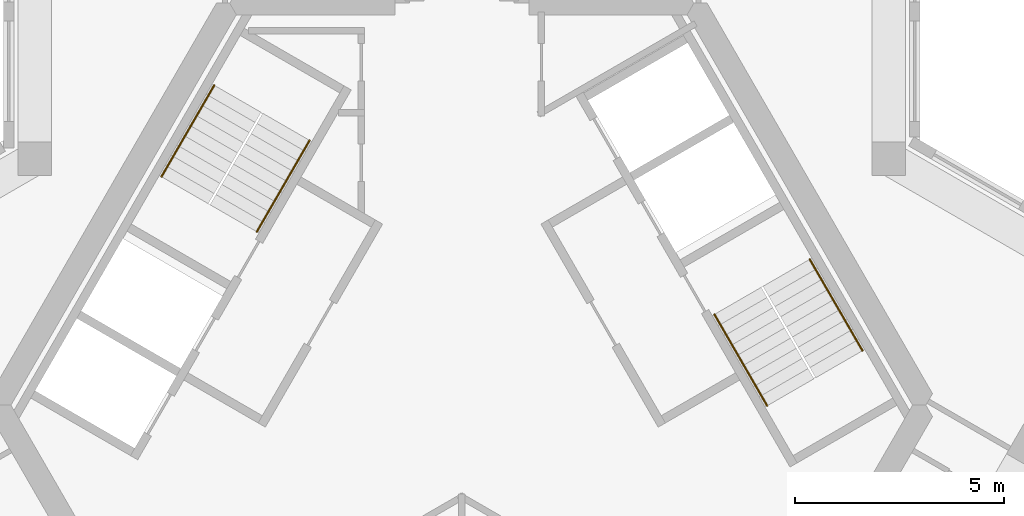
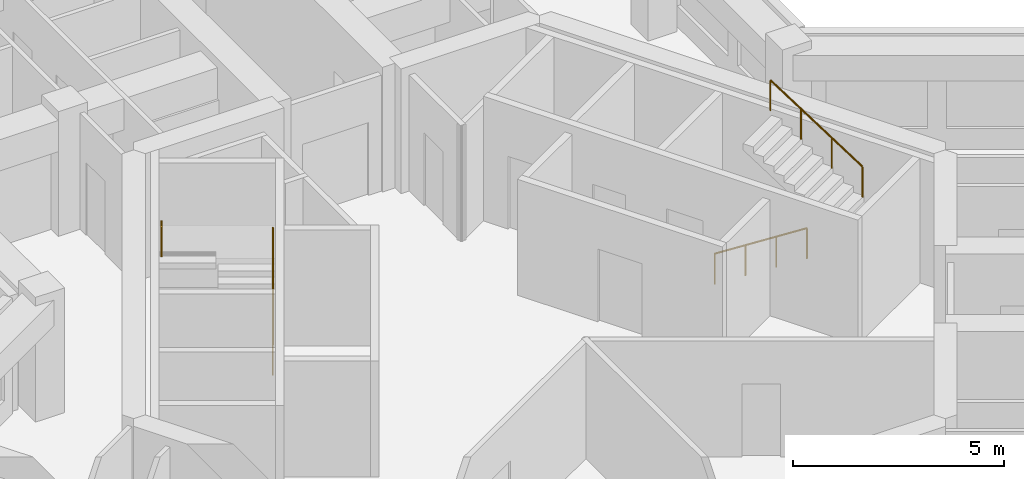
# One storey, part 14 of 14: 4 railings.
"""IFC4 building model written with IfcOpenShell, lengths in metres."""

import ifcopenshell
import ifcopenshell.guid

model = None  # the IFC model being written
_history = None  # IfcOwnerHistory: only IFC2X3 demands one
_inside = {}  # id of a spatial element -> (the spatial element, [elements in it])
_under = {}  # id of a project, library or spatial element -> (it, [spatial elements below it])
_declared = {}  # id of a project -> (the project, [libraries it declares])
_typed = {}  # id of a type object -> (the type object, [elements of that type])
_made_of = {}  # id of a material, layer set ... -> (it, [elements and type objects made of it])


def new_model(schema):
    """Start an empty IFC model of exactly this schema.

    Asked for "IFC4X3", IfcOpenShell would pick the latest addendum, in which some entities
    have other attributes; the version numbers below select the first issue.
    IFC2X3 requires an IfcOwnerHistory on every rooted entity: one is made here for all.
    """
    global model, _history
    if schema == "IFC4X3":
        model = ifcopenshell.file(schema_version=(4, 3, 0, 0))
    else:
        model = ifcopenshell.file(schema=schema)
    _inside.clear()
    _under.clear()
    _declared.clear()
    _typed.clear()
    _made_of.clear()
    _history = None
    if model.schema == "IFC2X3":
        org = make("IfcOrganization", Name="unknown")
        user = make(
            "IfcPersonAndOrganization",
            ThePerson=make("IfcPerson", FamilyName="unknown"),
            TheOrganization=org,
        )
        app = make(
            "IfcApplication",
            ApplicationDeveloper=org,
            Version="unknown",
            ApplicationFullName="unknown",
            ApplicationIdentifier="unknown",
        )
        _history = make(
            "IfcOwnerHistory",
            OwningUser=user,
            OwningApplication=app,
            ChangeAction="ADDED",
            CreationDate=0,
        )
    return model


def make(cls, **values):
    """One entity of the class cls with the attributes given. An attribute that is None is left unset."""
    return model.create_entity(
        cls, **{name: value for name, value in values.items() if value is not None}
    )


def rooted(cls, **values):
    """An entity with a GlobalId (a new one), such as an element, a storey or a relation."""
    return make(cls, GlobalId=ifcopenshell.guid.new(), OwnerHistory=_history, **values)


def si_unit(unit_type, name, prefix=None):
    """IfcSIUnit, for example si_unit("LENGTHUNIT", "METRE", prefix="MILLI")."""
    return make("IfcSIUnit", UnitType=unit_type, Prefix=prefix, Name=name)


def assignment(units):
    """IfcUnitAssignment: the units of a project."""
    return None if units is None else make("IfcUnitAssignment", Units=units)


def point(xyz):
    """IfcCartesianPoint."""
    return None if xyz is None else make("IfcCartesianPoint", Coordinates=xyz)


def direction(xyz):
    """IfcDirection."""
    return None if xyz is None else make("IfcDirection", DirectionRatios=xyz)


def frame(location, z_axis=None, x_axis=None):
    """IfcAxis2Placement3D, a coordinate frame: its origin and axes. An axis left out is left unset."""
    return make(
        "IfcAxis2Placement3D",
        Location=point(location),
        Axis=direction(z_axis),
        RefDirection=direction(x_axis),
    )


def frame_2d(location, x_axis=None):
    """IfcAxis2Placement2D, a coordinate frame in the plane: its origin and x axis."""
    return make(
        "IfcAxis2Placement2D", Location=point(location), RefDirection=direction(x_axis)
    )


def origin():
    """The frame at (0, 0, 0) with its axes left unset."""
    return frame((0.0, 0.0, 0.0))


def origin_2d():
    """The frame at (0, 0) in the plane with its x axis left unset."""
    return frame_2d((0.0, 0.0))


def place(relative_to, where):
    """IfcLocalPlacement: puts the frame where relative to a parent placement (None: the world)."""
    return make(
        "IfcLocalPlacement", PlacementRelTo=relative_to, RelativePlacement=where
    )


def context(
    kind, dimensions, precision=None, world=None, true_north=None, identifier=None
):
    """IfcGeometricRepresentationContext, for example the 3D "Model" context."""
    return make(
        "IfcGeometricRepresentationContext",
        ContextIdentifier=identifier,
        ContextType=kind,
        CoordinateSpaceDimension=dimensions,
        Precision=precision,
        WorldCoordinateSystem=world,
        TrueNorth=true_north,
    )


def subcontext(parent, identifier, kind, view, scale=None):
    """IfcGeometricRepresentationSubContext, for example "Body" below "Model"."""
    return make(
        "IfcGeometricRepresentationSubContext",
        ContextIdentifier=identifier,
        ContextType=kind,
        ParentContext=parent,
        TargetScale=scale,
        TargetView=view,
    )


def project(units=None, contexts=None):
    """IfcProject with its units and contexts."""
    return rooted(
        "IfcProject",
        Name="project",
        RepresentationContexts=contexts,
        UnitsInContext=assignment(units),
    )


def spatial(cls, under=None, at=None, **own):
    """A site, building, storey or space (cls), placed at a placement, below another one or the project."""
    s = rooted(cls, ObjectPlacement=at, **own)
    if under is not None:
        _under.setdefault(under.id(), (under, []))[1].append(s)
    return s


def profile(cls, at=None, kind="AREA", **sizes):
    """A parametric profile (cls). Its sizes go by their IFC names, for example OverallWidth=200.0."""
    return make(cls, ProfileType=kind, Position=at, **sizes)


def circle(**sizes):
    """IfcCircleProfileDef."""
    return profile("IfcCircleProfileDef", **sizes)


def extrude(swept, where, along, depth):
    """IfcExtrudedAreaSolid: the profile swept, set in the frame where, extruded along a direction by depth."""
    return make(
        "IfcExtrudedAreaSolid",
        SweptArea=swept,
        Position=where,
        ExtrudedDirection=direction(along),
        Depth=depth,
    )


def shape(context_of_items, identifier, shape_type, items):
    """IfcShapeRepresentation: the items that make up one representation, for example the "Body"."""
    return make(
        "IfcShapeRepresentation",
        ContextOfItems=context_of_items,
        RepresentationIdentifier=identifier,
        RepresentationType=shape_type,
        Items=items,
    )


def material(Name=None, Category=None):
    """IfcMaterial."""
    return make("IfcMaterial", Name=Name, Category=Category)


def made_of(thing, what):
    """Note that an element or type object is made of a material, layer set ...; save() writes the relation."""
    if what is not None:
        _made_of.setdefault(what.id(), (what, []))[1].append(thing)
    return thing


def type_object(cls, material=None, **own):
    """A type object (cls), such as IfcWallType, which elements share."""
    return made_of(rooted(cls, **own), material)


def element(
    cls,
    number,
    at=None,
    inside=None,
    cuts=None,
    type_object=None,
    material=None,
    context=None,
    identifier="Body",
    shape_type=None,
    held_by="IfcProductDefinitionShape",
    body=None,
    shapes=None,
    **own,
):
    """One element of the class cls, such as IfcWall. Its Tag is "e" and its number.

    at: its placement. inside: the storey or other place that contains it. cuts: it is an
    opening in that element (IfcRelVoidsElement). A single representation is given by context,
    identifier, shape_type and body (its items); several are given by shapes. held_by: the class
    of the entity that holds the representations. save() writes the other relations.
    """
    e = rooted(cls, Tag="e%d" % number, ObjectPlacement=at, **own)
    if body is not None:
        shapes = [shape(context, identifier, shape_type, body)]
    if shapes is not None:
        e.Representation = make(held_by, Representations=shapes)
    if inside is not None:
        _inside.setdefault(inside.id(), (inside, []))[1].append(e)
    if cuts is not None:
        rooted(
            "IfcRelVoidsElement", RelatingBuildingElement=cuts, RelatedOpeningElement=e
        )
    if type_object is not None:
        _typed.setdefault(type_object.id(), (type_object, []))[1].append(e)
    return made_of(e, material)


def aggregate(whole, parts):
    """IfcRelAggregates: a whole, such as a stair, and the parts it consists of."""
    return rooted("IfcRelAggregates", RelatingObject=whole, RelatedObjects=parts)


def save(model, path):
    """Write the relations noted so far, then the file.

    IfcRelAggregates (storeys below a building ...), IfcRelContainedInSpatialStructure (elements
    in a storey), IfcRelDefinesByType, IfcRelAssociatesMaterial and IfcRelDeclares: one each for
    every whole, place, type object, material and project.
    """
    for whole, parts in _under.values():
        aggregate(whole, parts)
    for where, things in _inside.values():
        rooted(
            "IfcRelContainedInSpatialStructure",
            RelatedElements=things,
            RelatingStructure=where,
        )
    for kind, things in _typed.values():
        rooted("IfcRelDefinesByType", RelatedObjects=things, RelatingType=kind)
    for what, things in _made_of.values():
        rooted("IfcRelAssociatesMaterial", RelatedObjects=things, RelatingMaterial=what)
    for by, libraries in _declared.values():
        rooted("IfcRelDeclares", RelatingContext=by, RelatedDefinitions=libraries)
    model.write(path)


model = new_model("IFC4")

# Units and contexts
model_context = context("Model", 3, precision=1e-05, world=origin(), true_north=direction((0.0, 1.0)))
body_context = subcontext(model_context, "Body", "Model", "MODEL_VIEW")
ifc_project = project(units=[si_unit("LENGTHUNIT", "METRE"), si_unit("AREAUNIT", "SQUARE_METRE"), si_unit("VOLUMEUNIT", "CUBIC_METRE"), si_unit("PLANEANGLEUNIT", "RADIAN"), si_unit("MASSUNIT", "GRAM", prefix="KILO")], contexts=[model_context])

# Site, building, storey
site_placement = place(None, origin())
site = spatial("IfcSite", under=ifc_project, at=site_placement, CompositionType="ELEMENT")
building_placement = place(site_placement, origin())
building = spatial("IfcBuilding", under=site, at=building_placement, Name="Kosmar Iwan School Tower", CompositionType="ELEMENT")
storey_placement = place(building_placement, frame((0.0, 0.0, 278.199951171875)))
storey = spatial("IfcBuildingStorey", under=building, at=storey_placement, Name="L70", CompositionType="ELEMENT", Elevation=278.199951171875)

# Railings
ifc_material = material(Name="Black steel", Category="steel")
railing_type = type_object("IfcRailingType", Name="Stair handrail 900", PredefinedType="HANDRAIL", material=ifc_material)
railing_1_placement = place(storey_placement, frame((-4.89453125, 4.142333984375, 0.179931640625)))
element("IfcRailing", 1, at=railing_1_placement, inside=storey, type_object=railing_type, Name="Handrail ST2 flight 1", PredefinedType="HANDRAIL", context=body_context, shape_type="SweptSolid", body=[
    extrude(circle(Radius=0.02392578125, at=origin_2d()), frame((0.0, 0.0, 0.8759765625), z_axis=(0.420584145978, 0.728463801763, 0.540785970299), x_axis=(-0.866022637375, 0.500004791531, 0.0)), (0.0, 0.0, 1.0), 2.995849609375),
    extrude(circle(Radius=0.02099609375, at=origin_2d()), origin(), (0.0, 0.0, 1.0), 0.851806640625),
    extrude(circle(Radius=0.02099609375, at=origin_2d()), frame((0.419921875, 0.7275390625, 0.5400390625)), (0.0, 0.0, 1.0), 0.851806640625),
    extrude(circle(Radius=0.02099609375, at=origin_2d()), frame((0.840087890625, 1.454833984375, 1.080078125)), (0.0, 0.0, 1.0), 0.851806640625),
    extrude(circle(Radius=0.02099609375, at=origin_2d()), frame((1.260009765625, 2.182373046875, 1.6201171875)), (0.0, 0.0, 1.0), 0.851806640625),
])
railing_2_placement = place(storey_placement, frame((-5.912353515625, 7.6396484375, 1.97998046875)))
element("IfcRailing", 2, at=railing_2_placement, inside=storey, type_object=railing_type, Name="Handrail ST2 flight 2", PredefinedType="HANDRAIL", context=body_context, shape_type="SweptSolid", body=[
    extrude(circle(Radius=0.02392578125, at=origin_2d()), frame((0.0, 0.0, 0.8759765625), z_axis=(-0.420584145978, -0.728463801763, 0.540785970299), x_axis=(0.866022637375, -0.500004791531, 0.0)), (0.0, 0.0, 1.0), 2.995849609375),
    extrude(circle(Radius=0.02099609375, at=origin_2d()), origin(), (0.0, 0.0, 1.0), 0.851806640625),
    extrude(circle(Radius=0.02099609375, at=origin_2d()), frame((-0.419921875, -0.7275390625, 0.5400390625)), (0.0, 0.0, 1.0), 0.851806640625),
    extrude(circle(Radius=0.02099609375, at=origin_2d()), frame((-0.840087890625, -1.454833984375, 1.080078125)), (0.0, 0.0, 1.0), 0.851806640625),
    extrude(circle(Radius=0.02099609375, at=origin_2d()), frame((-1.260009765625, -2.182373046875, 1.6201171875)), (0.0, 0.0, 1.0), 0.851806640625),
])
railing_3_placement = place(storey_placement, frame((6.03466796875, 2.167724609375, 0.179931640625)))
element("IfcRailing", 3, at=railing_3_placement, inside=storey, type_object=railing_type, Name="Handrail ST1 flight 1", PredefinedType="HANDRAIL", context=body_context, shape_type="SweptSolid", body=[
    extrude(circle(Radius=0.02392578125, at=origin_2d()), frame((0.0, 0.0, 0.8759765625), z_axis=(0.420584145978, -0.728463801763, 0.540785970299), x_axis=(0.866022637375, 0.500004791531, 0.0)), (0.0, 0.0, 1.0), 2.995849609375),
    extrude(circle(Radius=0.02099609375, at=origin_2d()), origin(), (0.0, 0.0, 1.0), 0.851806640625),
    extrude(circle(Radius=0.02099609375, at=origin_2d()), frame((0.419921875, -0.7275390625, 0.5400390625)), (0.0, 0.0, 1.0), 0.851806640625),
    extrude(circle(Radius=0.02099609375, at=origin_2d()), frame((0.840087890625, -1.454833984375, 1.080078125)), (0.0, 0.0, 1.0), 0.851806640625),
    extrude(circle(Radius=0.02099609375, at=origin_2d()), frame((1.260009765625, -2.182373046875, 1.6201171875)), (0.0, 0.0, 1.0), 0.851806640625),
])
railing_4_placement = place(storey_placement, frame((9.572265625, 1.30029296875, 1.97998046875)))
element("IfcRailing", 4, at=railing_4_placement, inside=storey, type_object=railing_type, Name="Handrail ST1 flight 2", PredefinedType="HANDRAIL", context=body_context, shape_type="SweptSolid", body=[
    extrude(circle(Radius=0.02392578125, at=origin_2d()), frame((0.0, 0.0, 0.8759765625), z_axis=(-0.420584145978, 0.728463801763, 0.540785970299), x_axis=(-0.866022637375, -0.500004791531, 0.0)), (0.0, 0.0, 1.0), 2.995849609375),
    extrude(circle(Radius=0.02099609375, at=origin_2d()), origin(), (0.0, 0.0, 1.0), 0.851806640625),
    extrude(circle(Radius=0.02099609375, at=origin_2d()), frame((-0.419921875, 0.7275390625, 0.5400390625)), (0.0, 0.0, 1.0), 0.851806640625),
    extrude(circle(Radius=0.02099609375, at=origin_2d()), frame((-0.840087890625, 1.454833984375, 1.080078125)), (0.0, 0.0, 1.0), 0.851806640625),
    extrude(circle(Radius=0.02099609375, at=origin_2d()), frame((-1.260009765625, 2.182373046875, 1.6201171875)), (0.0, 0.0, 1.0), 0.851806640625),
])

save(model, "model.ifc")
